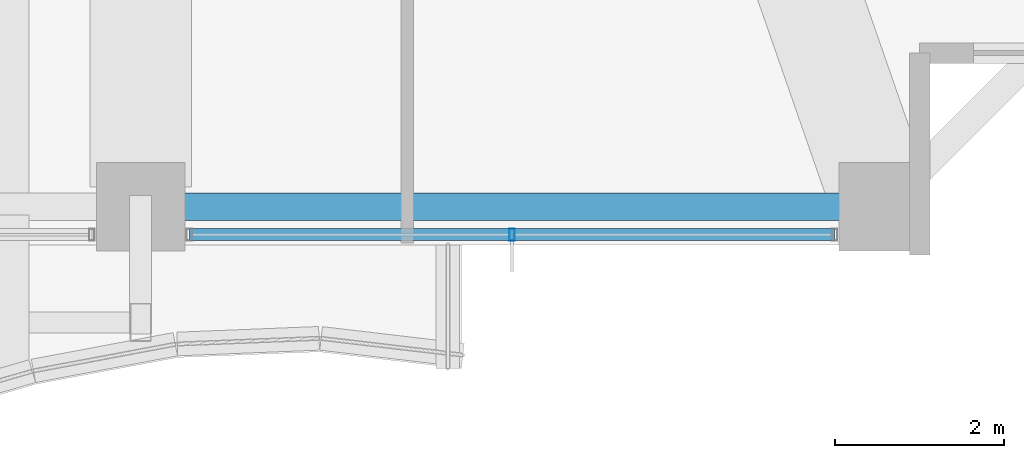
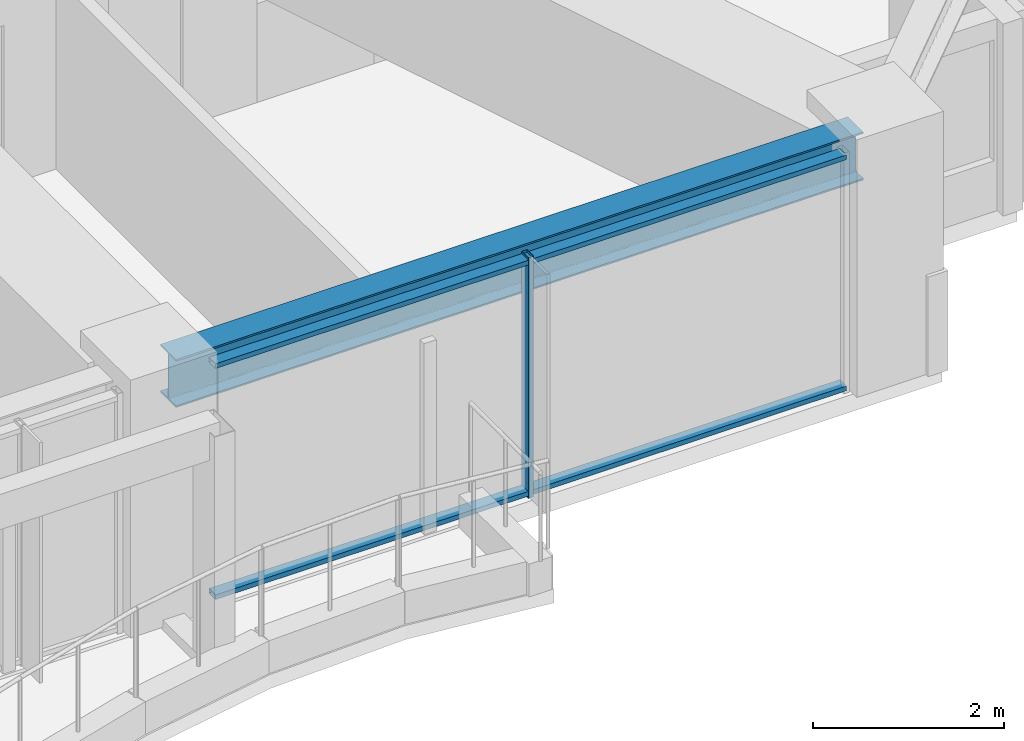
# One storey, part 6 of 39: 3 members, 1 beam, 1 element without a shape of its own.
"""IFC4 building model written with IfcOpenShell, lengths in metres."""

from ifc_helpers import new_model, si_unit, direction, frame, origin, origin_2d, place, context, subcontext, project, spatial, hollow_rectangle, i_section, extrude, material, material_profile, profile_set, type_object, element, aggregate, save


model = new_model("IFC4")

# Units and contexts
model_context = context("Model", 3, precision=1e-05, world=origin(), true_north=direction((0.0, 1.0)))
body_context = subcontext(model_context, "Body", "Model", "MODEL_VIEW")
ifc_project = project(units=[si_unit("LENGTHUNIT", "METRE"), si_unit("AREAUNIT", "SQUARE_METRE"), si_unit("VOLUMEUNIT", "CUBIC_METRE"), si_unit("PLANEANGLEUNIT", "RADIAN"), si_unit("MASSUNIT", "GRAM", prefix="KILO")], contexts=[model_context])

# Site, building, storey
site_placement = place(None, origin())
site = spatial("IfcSite", under=ifc_project, at=site_placement, CompositionType="ELEMENT")
building_placement = place(site_placement, origin())
building = spatial("IfcBuilding", under=site, at=building_placement, Name="Kolvaren Belvedere", CompositionType="ELEMENT")
storey_placement = place(building_placement, frame((0.0, 0.0, 85.39990234375)))
storey = spatial("IfcBuildingStorey", under=building, at=storey_placement, Name="L24", CompositionType="ELEMENT", Elevation=85.39990234375)

# Beam
ifc_material_1 = material(Name="Structural steel ASTM A992 Grade 50", Category="steel")
ifc_material_profile_1 = material_profile(ifc_material_1, i_section(OverallWidth=0.324951171875, OverallDepth=0.615966796875, WebThickness=0.013916015625, FlangeThickness=0.021484375, FilletRadius=0.02001953125, at=origin_2d()), Name="W24X117")
ifc_profile_set_1 = profile_set([ifc_material_profile_1], Name="Structural steel ASTM A992 Grade 50")
beam_type = type_object("IfcBeamType", Name="BM-SPAN-W24X117", PredefinedType="SPANDREL", material=ifc_profile_set_1)
beam_placement = place(storey_placement, frame((4.836181640625, -19.949951171875, 2.772216796875), z_axis=(1.0, 0.0, 0.0), x_axis=(0.0, 1.0, 0.0)))
element("IfcBeam", 1, at=beam_placement, inside=storey, type_object=beam_type, Name="L24 Perimeter Spandrel S3-S4", PredefinedType="SPANDREL", context=body_context, shape_type="SweptSolid", body=[
    extrude(i_section(OverallWidth=0.324951171875, OverallDepth=0.615966796875, WebThickness=0.013916015625, FlangeThickness=0.021484375, FilletRadius=0.02001953125, at=origin_2d()), origin(), (0.0, 0.0, 1.0), 8.32763671875),
])

# Curtain wall, members
ifc_material_2 = material(Name="Anodised pale-metal aluminium AA 6063-T6", Category="aluminium")
curtain_wall_type = type_object("IfcCurtainWallType", Name="CW-Z2-MID", PredefinedType="NOTDEFINED", material=ifc_material_2)
curtain_wall_placement = place(storey_placement, origin())
curtain_wall = element("IfcCurtainWall", 2, at=curtain_wall_placement, inside=storey, type_object=curtain_wall_type, Name="L24 Unitised Curtain Wall FCW-L24-S1-B1", PredefinedType="NOTDEFINED")
ifc_material_3 = material(Name="Anodised pale-metal aluminium AA 6063-T6", Category="aluminium")
ifc_material_profile_2 = material_profile(ifc_material_3, hollow_rectangle(XDim=0.06494140625, YDim=0.139892578125, WallThickness=0.00390625, at=origin_2d()), Name="ALU-MUL-140X65")
ifc_profile_set_2 = profile_set([ifc_material_profile_2], Name="Anodised pale-metal aluminium AA 6063-T6")
member_type_1 = type_object("IfcMemberType", Name="CW-MUL-140", PredefinedType="MULLION", material=ifc_profile_set_2)
member_1_placement = place(storey_placement, frame((9.0, -20.280029296875, 0.0), z_axis=(0.0, 0.0, 1.0), x_axis=(1.0, 0.0, 0.0)))
member_1 = element("IfcMember", 3, at=member_1_placement, type_object=member_type_1, Name="FCW-L24-S1-B1 Unitised Mullion 2", PredefinedType="MULLION", context=body_context, shape_type="SweptSolid", body=[
    extrude(hollow_rectangle(XDim=0.06494140625, YDim=0.139892578125, WallThickness=0.00390625, at=origin_2d()), origin(), (0.0, 0.0, 1.0), 3.080078125),
])
ifc_material_4 = material(Name="Anodised pale-metal aluminium AA 6063-T6", Category="aluminium")
ifc_material_profile_3 = material_profile(ifc_material_4, hollow_rectangle(XDim=0.06005859375, YDim=0.139892578125, WallThickness=0.00390625, at=origin_2d()), Name="ALU-TRN-140X60")
ifc_profile_set_3 = profile_set([ifc_material_profile_3], Name="Anodised pale-metal aluminium AA 6063-T6")
member_type_2 = type_object("IfcMemberType", Name="CW-TRN-140", PredefinedType="USERDEFINED", material=ifc_profile_set_3)
member_2_placement = place(storey_placement, frame((12.822509765625, -20.280029296875, 0.06005859375), z_axis=(-1.0, 0.0, 0.0), x_axis=(0.0, 0.0, 1.0)))
member_2 = element("IfcMember", 4, at=member_2_placement, type_object=member_type_2, Name="FCW-L24-S1-B1 Sill Transom", ObjectType="TRANSOM", PredefinedType="USERDEFINED", context=body_context, shape_type="SweptSolid", body=[
    extrude(hollow_rectangle(XDim=0.06005859375, YDim=0.139892578125, WallThickness=0.00390625, at=origin_2d()), origin(), (0.0, 0.0, 1.0), 7.64501953125),
])
member_3_placement = place(storey_placement, frame((12.822509765625, -20.280029296875, 3.02001953125), z_axis=(-1.0, 0.0, 0.0), x_axis=(0.0, 0.0, 1.0)))
member_3 = element("IfcMember", 5, at=member_3_placement, type_object=member_type_2, Name="FCW-L24-S1-B1 Head Transom", ObjectType="TRANSOM", PredefinedType="USERDEFINED", context=body_context, shape_type="SweptSolid", body=[
    extrude(hollow_rectangle(XDim=0.06005859375, YDim=0.139892578125, WallThickness=0.00390625, at=origin_2d()), origin(), (0.0, 0.0, 1.0), 7.64501953125),
])
aggregate(curtain_wall, [member_1, member_2, member_3])

save(model, "model.ifc")
